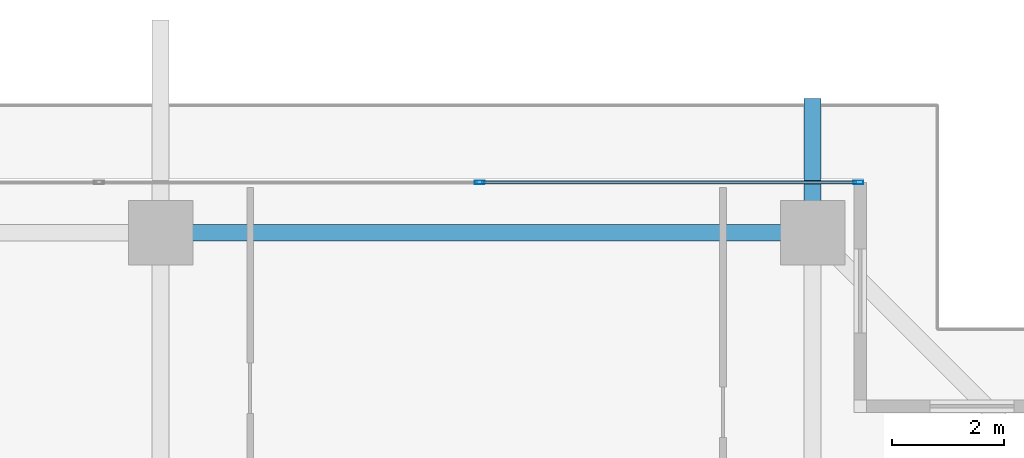
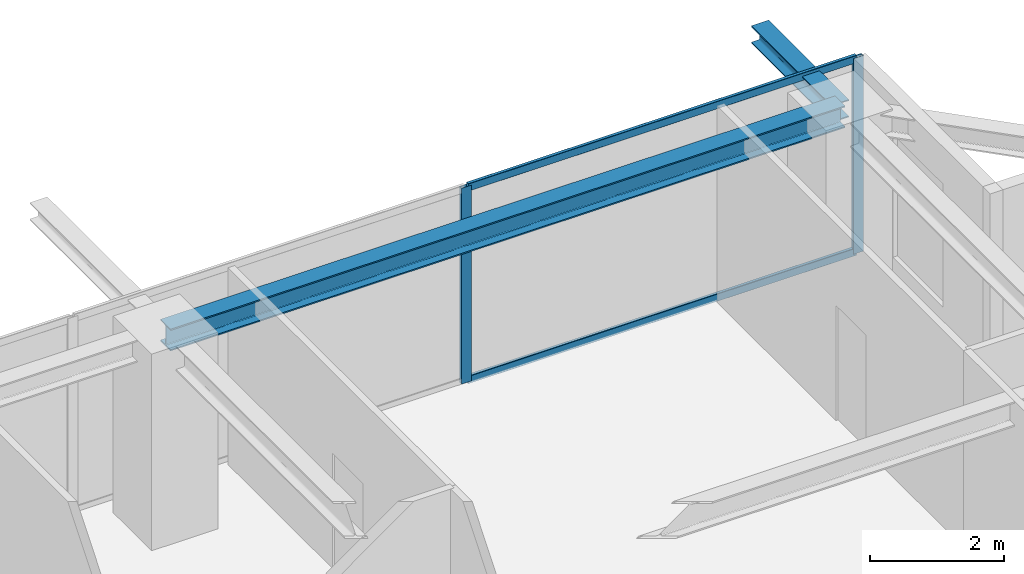
# One storey, part 24 of 38: 4 members, 2 beams, 1 element without a shape of its own.
"""IFC4 building model written with IfcOpenShell, lengths in metres."""

from ifc_helpers import new_model, si_unit, direction, frame, origin, origin_2d, place, context, subcontext, project, spatial, hollow_rectangle, i_section, extrude, source, transform, mapped, material, layer, layer_set, material_profile, profile_set, type_object, element, aggregate, save


model = new_model("IFC4")

# Units and contexts
model_context = context("Model", 3, precision=1e-05, world=origin(), true_north=direction((0.0, 1.0)))
body_context = subcontext(model_context, "Body", "Model", "MODEL_VIEW")
ifc_project = project(units=[si_unit("LENGTHUNIT", "METRE"), si_unit("AREAUNIT", "SQUARE_METRE"), si_unit("VOLUMEUNIT", "CUBIC_METRE"), si_unit("PLANEANGLEUNIT", "RADIAN"), si_unit("MASSUNIT", "GRAM", prefix="KILO")], contexts=[model_context])

# Site, building, storey
site_placement = place(None, origin())
site = spatial("IfcSite", under=ifc_project, at=site_placement, CompositionType="ELEMENT")
building_placement = place(site_placement, origin())
building = spatial("IfcBuilding", under=site, at=building_placement, Name="Serunith Strait Residences", CompositionType="ELEMENT")
storey_placement = place(building_placement, frame((0.0, 0.0, 229.699951171875)))
storey = spatial("IfcBuildingStorey", under=building, at=storey_placement, Name="L57", CompositionType="ELEMENT", Elevation=229.699951171875)

# Beams
ifc_material_1 = material(Name="Steel S355J2", Category="steel")
ifc_material_profile_1 = material_profile(ifc_material_1, i_section(OverallWidth=0.300048828125, OverallDepth=0.39990234375, WebThickness=0.013427734375, FlangeThickness=0.02392578125, FilletRadius=0.027099609375, at=origin_2d()), Name="HEB 400")
ifc_profile_set_1 = profile_set([ifc_material_profile_1], Name="Steel S355J2")
beam_type_1 = type_object("IfcBeamType", Name="BM-HEB400", PredefinedType="BEAM", material=ifc_profile_set_1)
shared_shape_1 = source(origin(), body_context, "Body", "SweptSolid", [
    extrude(i_section(OverallWidth=0.300048828125, OverallDepth=0.39990234375, WebThickness=0.013427734375, FlangeThickness=0.02392578125, FilletRadius=0.027099609375, at=origin_2d()), origin(), (0.0, 0.0, 1.0), 11.650146484375),
])
beam_1_placement = place(storey_placement, frame((48.550048828125, 48.300048828125, 3.386962890625), z_axis=(-1.0, 0.0, 0.0), x_axis=(0.0, -1.0, 0.0)))
element("IfcBeam", 1, at=beam_1_placement, inside=storey, type_object=beam_type_1, Name="L57 Perimeter Ring Beam 09", PredefinedType="BEAM", context=body_context, shape_type="MappedRepresentation", body=[
    mapped(shared_shape_1, transform((0.0, 0.0, 0.0), scale=1.0)),
])
ifc_material_profile_2 = material_profile(ifc_material_1, i_section(OverallWidth=0.300048828125, OverallDepth=0.320068359375, WebThickness=0.011474609375, FlangeThickness=0.0205078125, FilletRadius=0.027099609375, at=origin_2d()), Name="HEB 320")
ifc_profile_set_2 = profile_set([ifc_material_profile_2], Name="Steel S355J2")
beam_type_2 = type_object("IfcBeamType", Name="BM-HEB320", PredefinedType="BEAM", material=ifc_profile_set_2)
shared_shape_2 = source(origin(), body_context, "Body", "SweptSolid", [
    extrude(i_section(OverallWidth=0.300048828125, OverallDepth=0.320068359375, WebThickness=0.011474609375, FlangeThickness=0.0205078125, FilletRadius=0.027099609375, at=origin_2d()), origin(), (0.0, 0.0, 1.0), 2.3974609375),
])
beam_2_placement = place(storey_placement, frame((48.550048828125, 48.300048828125, 3.39697265625), z_axis=(0.0, 1.0, 0.0), x_axis=(-1.0, 0.0, 0.0)))
element("IfcBeam", 2, at=beam_2_placement, inside=storey, type_object=beam_type_2, Name="L58 Cantilevered Balcony Rib TC-N4", PredefinedType="BEAM", context=body_context, shape_type="MappedRepresentation", body=[
    mapped(shared_shape_2, transform((0.0, 0.0, 0.0), scale=1.0)),
])

# Curtain wall, members
ifc_material_2 = material(Name="Pale-Champagne Anodised Aluminium", Category="aluminium")
ifc_layer = layer(ifc_material_2, 0.199951171875, Name="Pale-Champagne Anodised Aluminium")
ifc_layer_set = layer_set([ifc_layer], Name="Pale-Champagne Anodised Aluminium")
curtain_wall_type = type_object("IfcCurtainWallType", Name="CW-SYS4", PredefinedType="NOTDEFINED", material=ifc_layer_set)
curtain_wall_placement = place(storey_placement, origin())
curtain_wall = element("IfcCurtainWall", 3, at=curtain_wall_placement, inside=storey, type_object=curtain_wall_type, Name="L57 N Unitised Fritted Curtain Wall", PredefinedType="NOTDEFINED")
ifc_material_profile_3 = material_profile(ifc_material_2, hollow_rectangle(XDim=0.06494140625, YDim=0.179931640625, WallThickness=0.00341796875, InnerFilletRadius=0.00537109375, OuterFilletRadius=0.0087890625, at=origin_2d()), Name="ALU 180x65x3.5")
ifc_profile_set_3 = profile_set([ifc_material_profile_3], Name="Pale-Champagne Anodised Aluminium")
member_type_1 = type_object("IfcMemberType", Name="CW-SYS4-MULL", PredefinedType="MULLION", material=ifc_profile_set_3)
shared_shape_3 = source(origin(), body_context, "Body", "SweptSolid", [
    extrude(hollow_rectangle(XDim=0.06494140625, YDim=0.179931640625, WallThickness=0.00341796875, InnerFilletRadius=0.00537109375, OuterFilletRadius=0.0087890625, at=origin_2d()), origin(), (0.0, 0.0, 1.0), 3.574951171875),
])
member_1_placement = place(storey_placement, frame((49.367431640625, 49.199951171875, 0.0), z_axis=(0.0, 0.0, 1.0), x_axis=(0.0, -1.0, 0.0)))
member_1 = element("IfcMember", 4, at=member_1_placement, type_object=member_type_1, Name="CW-4 mullion 1", PredefinedType="MULLION", context=body_context, shape_type="MappedRepresentation", body=[
    mapped(shared_shape_3, transform((0.0, 0.0, 0.0), scale=1.0)),
])
member_2_placement = place(storey_placement, frame((42.60009765625, 49.199951171875, 0.0), z_axis=(0.0, 0.0, 1.0), x_axis=(0.0, -1.0, 0.0)))
member_2 = element("IfcMember", 5, at=member_2_placement, type_object=member_type_1, Name="CW-4 mullion 2", PredefinedType="MULLION", context=body_context, shape_type="MappedRepresentation", body=[
    mapped(shared_shape_3, transform((0.0, 0.0, 0.0), scale=1.0)),
])
ifc_material_profile_4 = material_profile(ifc_material_2, hollow_rectangle(XDim=0.06005859375, YDim=0.139892578125, WallThickness=0.00341796875, InnerFilletRadius=0.00537109375, OuterFilletRadius=0.0087890625, at=origin_2d()), Name="ALU 140x60x3.5")
ifc_profile_set_4 = profile_set([ifc_material_profile_4], Name="Pale-Champagne Anodised Aluminium")
member_type_2 = type_object("IfcMemberType", Name="CW-SYS4-TRAN", PredefinedType="USERDEFINED", material=ifc_profile_set_4)
shared_shape_4 = source(origin(), body_context, "Body", "SweptSolid", [
    extrude(hollow_rectangle(XDim=0.06005859375, YDim=0.139892578125, WallThickness=0.00341796875, InnerFilletRadius=0.00537109375, OuterFilletRadius=0.0087890625, at=origin_2d()), origin(), (0.0, 0.0, 1.0), 6.702392578125),
])
member_3_placement = place(storey_placement, frame((49.3349609375, 49.199951171875, 0.030029296875), z_axis=(-1.0, 0.0, 0.0), x_axis=(0.0, -1.0, 0.0)))
member_3 = element("IfcMember", 6, at=member_3_placement, type_object=member_type_2, Name="CW-4 transom 1.1", ObjectType="TRANSOM", PredefinedType="USERDEFINED", context=body_context, shape_type="MappedRepresentation", body=[
    mapped(shared_shape_4, transform((0.0, 0.0, 0.0), scale=1.0)),
])
member_4_placement = place(storey_placement, frame((49.3349609375, 49.199951171875, 3.545166015625), z_axis=(-1.0, 0.0, 0.0), x_axis=(0.0, -1.0, 0.0)))
member_4 = element("IfcMember", 7, at=member_4_placement, type_object=member_type_2, Name="CW-4 transom 1.2", ObjectType="TRANSOM", PredefinedType="USERDEFINED", context=body_context, shape_type="MappedRepresentation", body=[
    mapped(shared_shape_4, transform((0.0, 0.0, 0.0), scale=1.0)),
])
aggregate(curtain_wall, [member_1, member_2, member_3, member_4])

save(model, "model.ifc")
